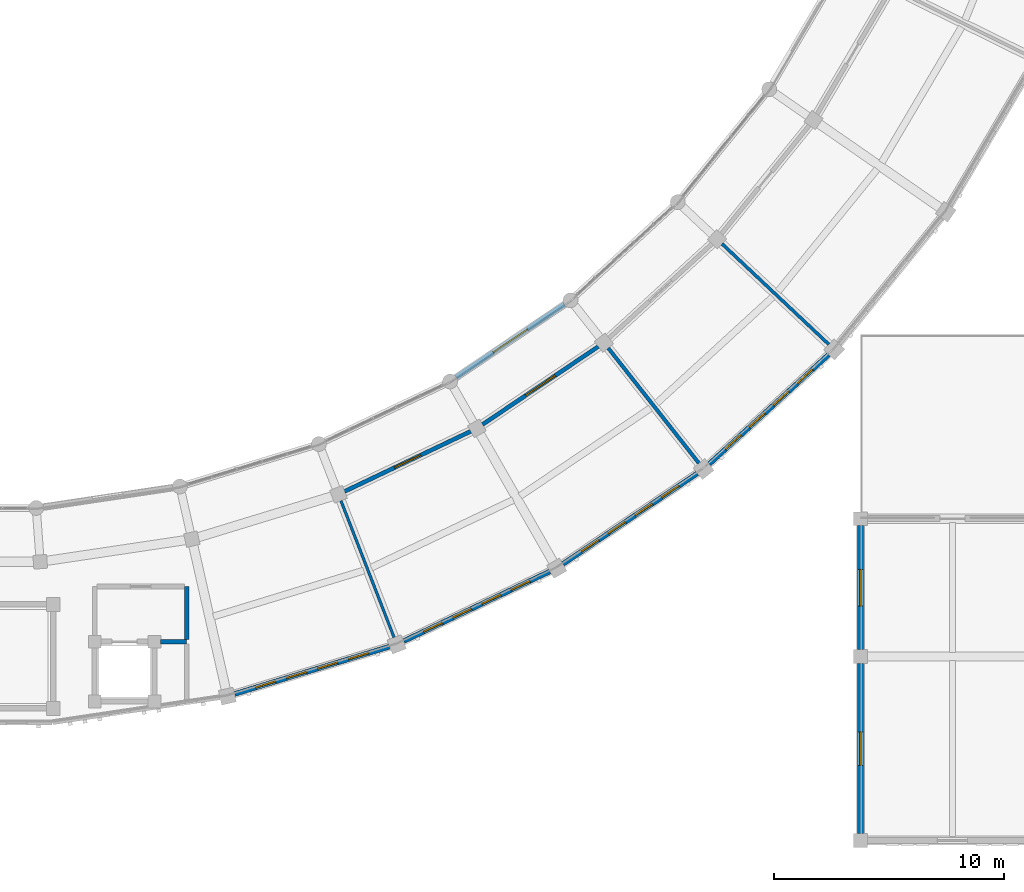
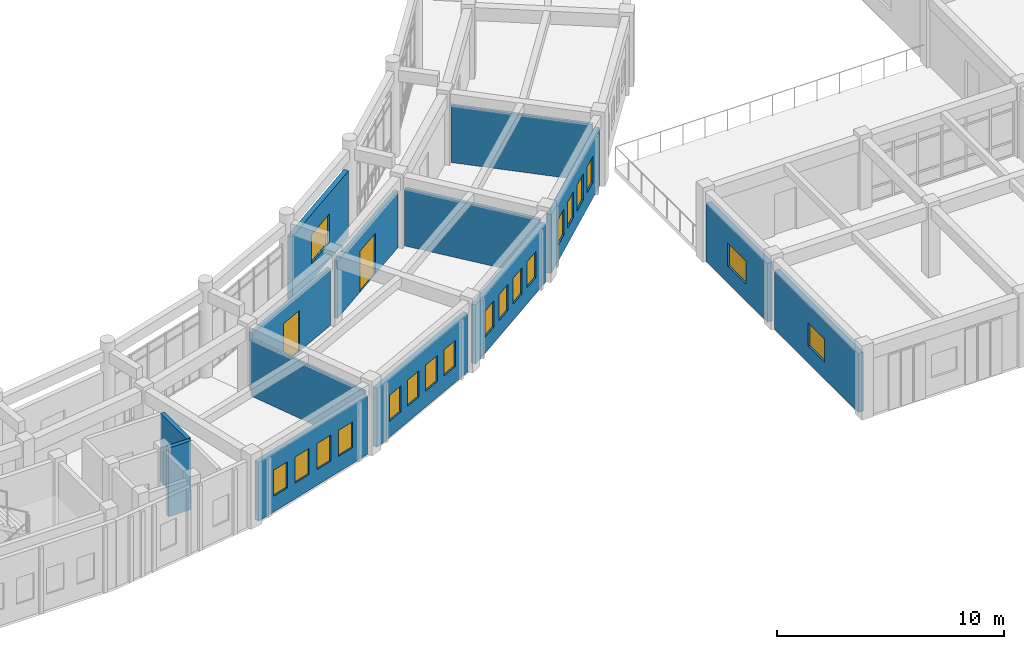
# One storey, part 124 of 159: 19 windows, 14 walls, 2 doors, 21 openings.
"""IFC4 building model written with IfcOpenShell, lengths in metres."""

import ifcopenshell
import ifcopenshell.guid

model = None  # the IFC model being written
_history = None  # IfcOwnerHistory: only IFC2X3 demands one
_inside = {}  # id of a spatial element -> (the spatial element, [elements in it])
_under = {}  # id of a project, library or spatial element -> (it, [spatial elements below it])
_declared = {}  # id of a project -> (the project, [libraries it declares])
_typed = {}  # id of a type object -> (the type object, [elements of that type])
_made_of = {}  # id of a material, layer set ... -> (it, [elements and type objects made of it])


def new_model(schema):
    """Start an empty IFC model of exactly this schema.

    Asked for "IFC4X3", IfcOpenShell would pick the latest addendum, in which some entities
    have other attributes; the version numbers below select the first issue.
    IFC2X3 requires an IfcOwnerHistory on every rooted entity: one is made here for all.
    """
    global model, _history
    if schema == "IFC4X3":
        model = ifcopenshell.file(schema_version=(4, 3, 0, 0))
    else:
        model = ifcopenshell.file(schema=schema)
    _inside.clear()
    _under.clear()
    _declared.clear()
    _typed.clear()
    _made_of.clear()
    _history = None
    if model.schema == "IFC2X3":
        org = make("IfcOrganization", Name="unknown")
        user = make(
            "IfcPersonAndOrganization",
            ThePerson=make("IfcPerson", FamilyName="unknown"),
            TheOrganization=org,
        )
        app = make(
            "IfcApplication",
            ApplicationDeveloper=org,
            Version="unknown",
            ApplicationFullName="unknown",
            ApplicationIdentifier="unknown",
        )
        _history = make(
            "IfcOwnerHistory",
            OwningUser=user,
            OwningApplication=app,
            ChangeAction="ADDED",
            CreationDate=0,
        )
    return model


def make(cls, **values):
    """One entity of the class cls with the attributes given. An attribute that is None is left unset."""
    return model.create_entity(
        cls, **{name: value for name, value in values.items() if value is not None}
    )


def rooted(cls, **values):
    """An entity with a GlobalId (a new one), such as an element, a storey or a relation."""
    return make(cls, GlobalId=ifcopenshell.guid.new(), OwnerHistory=_history, **values)


def si_unit(unit_type, name, prefix=None):
    """IfcSIUnit, for example si_unit("LENGTHUNIT", "METRE", prefix="MILLI")."""
    return make("IfcSIUnit", UnitType=unit_type, Prefix=prefix, Name=name)


def assignment(units):
    """IfcUnitAssignment: the units of a project."""
    return None if units is None else make("IfcUnitAssignment", Units=units)


def point(xyz):
    """IfcCartesianPoint."""
    return None if xyz is None else make("IfcCartesianPoint", Coordinates=xyz)


def direction(xyz):
    """IfcDirection."""
    return None if xyz is None else make("IfcDirection", DirectionRatios=xyz)


def frame(location, z_axis=None, x_axis=None):
    """IfcAxis2Placement3D, a coordinate frame: its origin and axes. An axis left out is left unset."""
    return make(
        "IfcAxis2Placement3D",
        Location=point(location),
        Axis=direction(z_axis),
        RefDirection=direction(x_axis),
    )


def frame_2d(location, x_axis=None):
    """IfcAxis2Placement2D, a coordinate frame in the plane: its origin and x axis."""
    return make(
        "IfcAxis2Placement2D", Location=point(location), RefDirection=direction(x_axis)
    )


def origin():
    """The frame at (0, 0, 0) with its axes left unset."""
    return frame((0.0, 0.0, 0.0))


def place(relative_to, where):
    """IfcLocalPlacement: puts the frame where relative to a parent placement (None: the world)."""
    return make(
        "IfcLocalPlacement", PlacementRelTo=relative_to, RelativePlacement=where
    )


def context(
    kind, dimensions, precision=None, world=None, true_north=None, identifier=None
):
    """IfcGeometricRepresentationContext, for example the 3D "Model" context."""
    return make(
        "IfcGeometricRepresentationContext",
        ContextIdentifier=identifier,
        ContextType=kind,
        CoordinateSpaceDimension=dimensions,
        Precision=precision,
        WorldCoordinateSystem=world,
        TrueNorth=true_north,
    )


def subcontext(parent, identifier, kind, view, scale=None):
    """IfcGeometricRepresentationSubContext, for example "Body" below "Model"."""
    return make(
        "IfcGeometricRepresentationSubContext",
        ContextIdentifier=identifier,
        ContextType=kind,
        ParentContext=parent,
        TargetScale=scale,
        TargetView=view,
    )


def project(units=None, contexts=None):
    """IfcProject with its units and contexts."""
    return rooted(
        "IfcProject",
        Name="project",
        RepresentationContexts=contexts,
        UnitsInContext=assignment(units),
    )


def spatial(cls, under=None, at=None, **own):
    """A site, building, storey or space (cls), placed at a placement, below another one or the project."""
    s = rooted(cls, ObjectPlacement=at, **own)
    if under is not None:
        _under.setdefault(under.id(), (under, []))[1].append(s)
    return s


def profile(cls, at=None, kind="AREA", **sizes):
    """A parametric profile (cls). Its sizes go by their IFC names, for example OverallWidth=200.0."""
    return make(cls, ProfileType=kind, Position=at, **sizes)


def rectangle(**sizes):
    """IfcRectangleProfileDef."""
    return profile("IfcRectangleProfileDef", **sizes)


def extrude(swept, where, along, depth):
    """IfcExtrudedAreaSolid: the profile swept, set in the frame where, extruded along a direction by depth."""
    return make(
        "IfcExtrudedAreaSolid",
        SweptArea=swept,
        Position=where,
        ExtrudedDirection=direction(along),
        Depth=depth,
    )


def shape(context_of_items, identifier, shape_type, items):
    """IfcShapeRepresentation: the items that make up one representation, for example the "Body"."""
    return make(
        "IfcShapeRepresentation",
        ContextOfItems=context_of_items,
        RepresentationIdentifier=identifier,
        RepresentationType=shape_type,
        Items=items,
    )


def material(Name=None, Category=None):
    """IfcMaterial."""
    return make("IfcMaterial", Name=Name, Category=Category)


def layer(
    of_material, thickness, ventilated=None, Name=None, Category=None, Priority=None
):
    """IfcMaterialLayer: one layer of a wall or slab, of a material (None: an air gap)."""
    return make(
        "IfcMaterialLayer",
        Material=of_material,
        LayerThickness=thickness,
        IsVentilated=ventilated,
        Name=Name,
        Category=Category,
        Priority=Priority,
    )


def layer_set(layers, Name=None):
    """IfcMaterialLayerSet."""
    return make("IfcMaterialLayerSet", MaterialLayers=layers, LayerSetName=Name)


def made_of(thing, what):
    """Note that an element or type object is made of a material, layer set ...; save() writes the relation."""
    if what is not None:
        _made_of.setdefault(what.id(), (what, []))[1].append(thing)
    return thing


def type_object(cls, material=None, **own):
    """A type object (cls), such as IfcWallType, which elements share."""
    return made_of(rooted(cls, **own), material)


def element(
    cls,
    number,
    at=None,
    inside=None,
    cuts=None,
    type_object=None,
    material=None,
    context=None,
    identifier="Body",
    shape_type=None,
    held_by="IfcProductDefinitionShape",
    body=None,
    shapes=None,
    **own,
):
    """One element of the class cls, such as IfcWall. Its Tag is "e" and its number.

    at: its placement. inside: the storey or other place that contains it. cuts: it is an
    opening in that element (IfcRelVoidsElement). A single representation is given by context,
    identifier, shape_type and body (its items); several are given by shapes. held_by: the class
    of the entity that holds the representations. save() writes the other relations.
    """
    e = rooted(cls, Tag="e%d" % number, ObjectPlacement=at, **own)
    if body is not None:
        shapes = [shape(context, identifier, shape_type, body)]
    if shapes is not None:
        e.Representation = make(held_by, Representations=shapes)
    if inside is not None:
        _inside.setdefault(inside.id(), (inside, []))[1].append(e)
    if cuts is not None:
        rooted(
            "IfcRelVoidsElement", RelatingBuildingElement=cuts, RelatedOpeningElement=e
        )
    if type_object is not None:
        _typed.setdefault(type_object.id(), (type_object, []))[1].append(e)
    return made_of(e, material)


def fill(opening, filler):
    """IfcRelFillsElement: the door or window that sits in an opening."""
    return rooted(
        "IfcRelFillsElement",
        RelatingOpeningElement=opening,
        RelatedBuildingElement=filler,
    )


def aggregate(whole, parts):
    """IfcRelAggregates: a whole, such as a stair, and the parts it consists of."""
    return rooted("IfcRelAggregates", RelatingObject=whole, RelatedObjects=parts)


def save(model, path):
    """Write the relations noted so far, then the file.

    IfcRelAggregates (storeys below a building ...), IfcRelContainedInSpatialStructure (elements
    in a storey), IfcRelDefinesByType, IfcRelAssociatesMaterial and IfcRelDeclares: one each for
    every whole, place, type object, material and project.
    """
    for whole, parts in _under.values():
        aggregate(whole, parts)
    for where, things in _inside.values():
        rooted(
            "IfcRelContainedInSpatialStructure",
            RelatedElements=things,
            RelatingStructure=where,
        )
    for kind, things in _typed.values():
        rooted("IfcRelDefinesByType", RelatedObjects=things, RelatingType=kind)
    for what, things in _made_of.values():
        rooted("IfcRelAssociatesMaterial", RelatedObjects=things, RelatingMaterial=what)
    for by, libraries in _declared.values():
        rooted("IfcRelDeclares", RelatingContext=by, RelatedDefinitions=libraries)
    model.write(path)


model = new_model("IFC4")

# Units and contexts
model_context = context("Model", 3, precision=1e-05, world=origin(), true_north=direction((0.0, 1.0)))
body_context = subcontext(model_context, "Body", "Model", "MODEL_VIEW")
ifc_project = project(units=[si_unit("LENGTHUNIT", "METRE"), si_unit("AREAUNIT", "SQUARE_METRE"), si_unit("VOLUMEUNIT", "CUBIC_METRE"), si_unit("PLANEANGLEUNIT", "RADIAN"), si_unit("MASSUNIT", "GRAM", prefix="KILO")], contexts=[model_context])

# Site, building, storey
site_placement = place(None, origin())
site = spatial("IfcSite", under=ifc_project, at=site_placement, CompositionType="ELEMENT")
building_placement = place(site_placement, origin())
building = spatial("IfcBuilding", under=site, at=building_placement, Name="Celadon Cloister-Ring School", CompositionType="ELEMENT")
storey_placement = place(building_placement, frame((0.0, 0.0, 4.5)))
storey = spatial("IfcBuildingStorey", under=building, at=storey_placement, Name="L01", CompositionType="ELEMENT", Elevation=4.5)

# Wall, opening, window
ifc_material_1 = material(Name="Rendered concrete blockwork", Category="masonry")
ifc_layer_1 = layer(ifc_material_1, 0.260009765625)
ifc_layer_set_1 = layer_set([ifc_layer_1], Name="Rendered concrete blockwork")
wall_type_1 = type_object("IfcWallType", Name="WT-EX2", PredefinedType="SOLIDWALL", material=ifc_layer_set_1)
wall_1_placement = place(storey_placement, frame((126.0, 2.302001953125, 0.0), z_axis=(0.0, 0.0, 1.0), x_axis=(0.0, 1.0, 0.0)))
wall_1 = element("IfcWall", 1, at=wall_1_placement, inside=storey, type_object=wall_type_1, Name="Exterior Wall 0424", PredefinedType="SOLIDWALL", context=body_context, shape_type="SweptSolid", body=[
    extrude(rectangle(XDim=7.39599609375, YDim=0.260009765625, at=frame_2d((3.697998046875, 0.0))), origin(), (0.0, 0.0, 1.0), 3.152099609375),
])
opening_1_placement = place(wall_1_placement, frame((2.972900390625, 0.0, 0.89990234375)))
opening_1 = element("IfcOpeningElement", 2, at=opening_1_placement, cuts=wall_1, Name="Opening WN-15", PredefinedType="OPENING", context=body_context, shape_type="SweptSolid", body=[
    extrude(rectangle(XDim=1.449951171875, YDim=1.25, at=frame_2d((0.72509765625, 0.625))), frame((0.0, 0.14013671875, 0.0), z_axis=(0.0, -1.0, 0.0), x_axis=(1.0, 0.0, 0.0)), (0.0, 0.0, 1.0), 0.280029296875),
])
ifc_material_2 = material(Name="Tempered laminated insulating glass", Category="glass")
window_type_1 = type_object("IfcWindowType", Name="WN-15", PartitioningType="SINGLE_PANEL", PredefinedType="WINDOW", material=ifc_material_2)
window_1_placement = place(opening_1_placement, origin())
window_1 = element("IfcWindow", 3, at=window_1_placement, inside=storey, type_object=window_type_1, Name="Window 0965", OverallHeight=1.25, OverallWidth=1.449951171875, PartitioningType="SINGLE_PANEL", PredefinedType="WINDOW", context=body_context, shape_type="SweptSolid", body=[
    extrude(rectangle(XDim=1.449951171875, YDim=1.25, at=frame_2d((0.72509765625, 0.625))), frame((0.0, 0.030029296875, 0.0), z_axis=(0.0, -1.0, 0.0), x_axis=(1.0, 0.0, 0.0)), (0.0, 0.0, 1.0), 0.06005859375),
])
fill(opening_1, window_1)

wall_2_placement = place(storey_placement, frame((126.0, 10.302001953125, 0.0), z_axis=(0.0, 0.0, 1.0), x_axis=(0.0, 1.0, 0.0)))
wall_2 = element("IfcWall", 4, at=wall_2_placement, inside=storey, type_object=wall_type_1, Name="Exterior Wall 0425", PredefinedType="SOLIDWALL", context=body_context, shape_type="SweptSolid", body=[
    extrude(rectangle(XDim=5.39599609375, YDim=0.260009765625, at=frame_2d((2.697998046875, 0.0))), origin(), (0.0, 0.0, 1.0), 3.152099609375),
])
opening_2_placement = place(wall_2_placement, frame((1.89794921875, 0.0, 0.89990234375)))
opening_2 = element("IfcOpeningElement", 5, at=opening_2_placement, cuts=wall_2, Name="Opening WN-16", PredefinedType="OPENING", context=body_context, shape_type="SweptSolid", body=[
    extrude(rectangle(XDim=1.60009765625, YDim=1.25, at=frame_2d((0.800048828125, 0.625))), frame((0.0, 0.14013671875, 0.0), z_axis=(0.0, -1.0, 0.0), x_axis=(1.0, 0.0, 0.0)), (0.0, 0.0, 1.0), 0.280029296875),
])
ifc_material_3 = material(Name="Tempered laminated insulating glass", Category="glass")
window_type_2 = type_object("IfcWindowType", Name="WN-16", PartitioningType="DOUBLE_PANEL_VERTICAL", PredefinedType="WINDOW", material=ifc_material_3)
window_2_placement = place(opening_2_placement, origin())
window_2 = element("IfcWindow", 6, at=window_2_placement, inside=storey, type_object=window_type_2, Name="Window 0966", OverallHeight=1.25, OverallWidth=1.60009765625, PartitioningType="SINGLE_PANEL", PredefinedType="WINDOW", context=body_context, shape_type="SweptSolid", body=[
    extrude(rectangle(XDim=1.60009765625, YDim=1.25, at=frame_2d((0.800048828125, 0.625))), frame((0.0, 0.030029296875, 0.0), z_axis=(0.0, -1.0, 0.0), x_axis=(1.0, 0.0, 0.0)), (0.0, 0.0, 1.0), 0.06005859375),
])
fill(opening_2, window_2)

ifc_material_4 = material(Name="Rendered concrete blockwork", Category="masonry")
ifc_layer_2 = layer(ifc_material_4, 0.239990234375)
ifc_layer_set_2 = layer_set([ifc_layer_2], Name="Rendered concrete blockwork")
wall_type_2 = type_object("IfcWallType", Name="WT-EX3", PredefinedType="SOLIDWALL", material=ifc_layer_set_2)
wall_3_placement = place(storey_placement, frame((108.426025390625, 22.14892578125, 0.0), z_axis=(0.0, 0.0, 1.0), x_axis=(0.829214750807, 0.558930136102, 0.0)))
wall_3 = element("IfcWall", 7, at=wall_3_placement, inside=storey, type_object=wall_type_2, Name="Exterior Wall 0082", PredefinedType="SOLIDWALL", context=body_context, shape_type="SweptSolid", body=[
    extrude(rectangle(XDim=5.664306640625, YDim=0.239990234375, at=frame_2d((2.83203125, 0.0))), origin(), (0.0, 0.0, 1.0), 3.550048828125),
])
opening_3_placement = place(wall_3_placement, frame((1.931884765625, 0.0, 0.89990234375)))
opening_3 = element("IfcOpeningElement", 8, at=opening_3_placement, cuts=wall_3, Name="Opening WN-37", PredefinedType="OPENING", context=body_context, shape_type="SweptSolid", body=[
    extrude(rectangle(XDim=1.800048828125, YDim=1.550048828125, at=frame_2d((0.89990234375, 0.77490234375))), frame((0.0, 0.1298828125, 0.0), z_axis=(0.0, -1.0, 0.0), x_axis=(1.0, 0.0, 0.0)), (0.0, 0.0, 1.0), 0.260009765625),
])
ifc_material_5 = material(Name="Tempered laminated insulating glass", Category="glass")
window_type_3 = type_object("IfcWindowType", Name="WN-37", PartitioningType="DOUBLE_PANEL_VERTICAL", PredefinedType="WINDOW", material=ifc_material_5)
window_3_placement = place(opening_3_placement, origin())
window_3 = element("IfcWindow", 9, at=window_3_placement, inside=storey, type_object=window_type_3, Name="Window 0218", OverallHeight=1.550048828125, OverallWidth=1.800048828125, PartitioningType="SINGLE_PANEL", PredefinedType="WINDOW", context=body_context, shape_type="SweptSolid", body=[
    extrude(rectangle(XDim=1.800048828125, YDim=1.550048828125, at=frame_2d((0.89990234375, 0.77490234375))), frame((0.0, 0.030029296875, 0.0), z_axis=(0.0, -1.0, 0.0), x_axis=(1.0, 0.0, 0.0)), (0.0, 0.0, 1.0), 0.06005859375),
])
fill(opening_3, window_3)

# Wall, openings, windows
ifc_material_6 = material(Name="Perforated terracotta clay brick masonry", Category="masonry")
ifc_layer_3 = layer(ifc_material_6, 0.219970703125)
ifc_layer_set_3 = layer_set([ifc_layer_3], Name="Perforated terracotta clay brick masonry")
wall_type_3 = type_object("IfcWallType", Name="WT-EX4", PredefinedType="SOLIDWALL", material=ifc_layer_set_3)
wall_4_placement = place(storey_placement, frame((105.51708984375, 10.43408203125, 0.0), z_axis=(0.0, 0.0, 1.0), x_axis=(-0.956340250866, -0.292255580912, 0.0)))
wall_4 = element("IfcWall", 10, at=wall_4_placement, inside=storey, type_object=wall_type_3, Name="Exterior Wall 0079", PredefinedType="SOLIDWALL", context=body_context, shape_type="SweptSolid", body=[
    extrude(rectangle(XDim=7.0322265625, YDim=0.219970703125, at=frame_2d((3.51611328125, 0.0))), origin(), (0.0, 0.0, 1.0), 3.172119140625),
])
opening_4_placement = place(wall_4_placement, frame((0.9560546875, 0.0, 0.85009765625)))
opening_4 = element("IfcOpeningElement", 11, at=opening_4_placement, cuts=wall_4, Name="Opening WN-21", PredefinedType="OPENING", context=body_context, shape_type="SweptSolid", body=[
    extrude(rectangle(XDim=0.89990234375, YDim=1.39990234375, at=frame_2d((0.449951171875, 0.699951171875))), frame((0.0, 0.1201171875, 0.0), z_axis=(0.0, -1.0, 0.0), x_axis=(1.0, 0.0, 0.0)), (0.0, 0.0, 1.0), 0.239990234375),
])
opening_5_placement = place(wall_4_placement, frame((2.363037109375, 0.0, 0.85009765625)))
opening_5 = element("IfcOpeningElement", 12, at=opening_5_placement, cuts=wall_4, Name="Opening WN-21", PredefinedType="OPENING", context=body_context, shape_type="SweptSolid", body=[
    extrude(rectangle(XDim=0.89990234375, YDim=1.39990234375, at=frame_2d((0.449951171875, 0.699951171875))), frame((0.0, 0.1201171875, 0.0), z_axis=(0.0, -1.0, 0.0), x_axis=(1.0, 0.0, 0.0)), (0.0, 0.0, 1.0), 0.239990234375),
])
opening_6_placement = place(wall_4_placement, frame((3.76904296875, 0.0, 0.85009765625)))
opening_6 = element("IfcOpeningElement", 13, at=opening_6_placement, cuts=wall_4, Name="Opening WN-21", PredefinedType="OPENING", context=body_context, shape_type="SweptSolid", body=[
    extrude(rectangle(XDim=0.89990234375, YDim=1.39990234375, at=frame_2d((0.449951171875, 0.699951171875))), frame((0.0, 0.1201171875, 0.0), z_axis=(0.0, -1.0, 0.0), x_axis=(1.0, 0.0, 0.0)), (0.0, 0.0, 1.0), 0.239990234375),
])
opening_7_placement = place(wall_4_placement, frame((5.176025390625, 0.0, 0.85009765625)))
opening_7 = element("IfcOpeningElement", 14, at=opening_7_placement, cuts=wall_4, Name="Opening WN-21", PredefinedType="OPENING", context=body_context, shape_type="SweptSolid", body=[
    extrude(rectangle(XDim=0.89990234375, YDim=1.39990234375, at=frame_2d((0.449951171875, 0.699951171875))), frame((0.0, 0.1201171875, 0.0), z_axis=(0.0, -1.0, 0.0), x_axis=(1.0, 0.0, 0.0)), (0.0, 0.0, 1.0), 0.239990234375),
])
ifc_material_7 = material(Name="Tempered laminated insulating glass", Category="glass")
window_type_4 = type_object("IfcWindowType", Name="WN-21", PartitioningType="SINGLE_PANEL", PredefinedType="WINDOW", material=ifc_material_7)
window_4_placement = place(opening_4_placement, origin())
window_4 = element("IfcWindow", 15, at=window_4_placement, inside=storey, type_object=window_type_4, Name="Window 0206", OverallHeight=1.39990234375, OverallWidth=0.89990234375, PartitioningType="SINGLE_PANEL", PredefinedType="WINDOW", context=body_context, shape_type="SweptSolid", body=[
    extrude(rectangle(XDim=0.89990234375, YDim=1.39990234375, at=frame_2d((0.449951171875, 0.699951171875))), frame((0.0, 0.030029296875, 0.0), z_axis=(0.0, -1.0, 0.0), x_axis=(1.0, 0.0, 0.0)), (0.0, 0.0, 1.0), 0.06005859375),
])
fill(opening_4, window_4)
window_5_placement = place(opening_5_placement, origin())
window_5 = element("IfcWindow", 16, at=window_5_placement, inside=storey, type_object=window_type_4, Name="Window 0207", OverallHeight=1.39990234375, OverallWidth=0.89990234375, PartitioningType="SINGLE_PANEL", PredefinedType="WINDOW", context=body_context, shape_type="SweptSolid", body=[
    extrude(rectangle(XDim=0.89990234375, YDim=1.39990234375, at=frame_2d((0.449951171875, 0.699951171875))), frame((0.0, 0.030029296875, 0.0), z_axis=(0.0, -1.0, 0.0), x_axis=(1.0, 0.0, 0.0)), (0.0, 0.0, 1.0), 0.06005859375),
])
fill(opening_5, window_5)
window_6_placement = place(opening_6_placement, origin())
window_6 = element("IfcWindow", 17, at=window_6_placement, inside=storey, type_object=window_type_4, Name="Window 0208", OverallHeight=1.39990234375, OverallWidth=0.89990234375, PartitioningType="SINGLE_PANEL", PredefinedType="WINDOW", context=body_context, shape_type="SweptSolid", body=[
    extrude(rectangle(XDim=0.89990234375, YDim=1.39990234375, at=frame_2d((0.449951171875, 0.699951171875))), frame((0.0, 0.030029296875, 0.0), z_axis=(0.0, -1.0, 0.0), x_axis=(1.0, 0.0, 0.0)), (0.0, 0.0, 1.0), 0.06005859375),
])
fill(opening_6, window_6)
window_7_placement = place(opening_7_placement, origin())
window_7 = element("IfcWindow", 18, at=window_7_placement, inside=storey, type_object=window_type_4, Name="Window 0209", OverallHeight=1.39990234375, OverallWidth=0.89990234375, PartitioningType="SINGLE_PANEL", PredefinedType="WINDOW", context=body_context, shape_type="SweptSolid", body=[
    extrude(rectangle(XDim=0.89990234375, YDim=1.39990234375, at=frame_2d((0.449951171875, 0.699951171875))), frame((0.0, 0.030029296875, 0.0), z_axis=(0.0, -1.0, 0.0), x_axis=(1.0, 0.0, 0.0)), (0.0, 0.0, 1.0), 0.06005859375),
])
fill(opening_7, window_7)

wall_5_placement = place(storey_placement, frame((112.489013671875, 13.701904296875, 0.0), z_axis=(0.0, 0.0, 1.0), x_axis=(-0.902744968073, -0.43017615301, 0.0)))
wall_5 = element("IfcWall", 19, at=wall_5_placement, inside=storey, type_object=wall_type_3, Name="Exterior Wall 0080", PredefinedType="SOLIDWALL", context=body_context, shape_type="SweptSolid", body=[
    extrude(rectangle(XDim=7.03173828125, YDim=0.219970703125, at=frame_2d((3.515869140625, 0.0))), origin(), (0.0, 0.0, 1.0), 3.172119140625),
])
opening_8_placement = place(wall_5_placement, frame((0.9560546875, 0.0, 0.85009765625)))
opening_8 = element("IfcOpeningElement", 20, at=opening_8_placement, cuts=wall_5, Name="Opening WN-21", PredefinedType="OPENING", context=body_context, shape_type="SweptSolid", body=[
    extrude(rectangle(XDim=0.89990234375, YDim=1.39990234375, at=frame_2d((0.449951171875, 0.699951171875))), frame((0.0, 0.1201171875, 0.0), z_axis=(0.0, -1.0, 0.0), x_axis=(1.0, 0.0, 0.0)), (0.0, 0.0, 1.0), 0.239990234375),
])
opening_9_placement = place(wall_5_placement, frame((2.363037109375, 0.0, 0.85009765625)))
opening_9 = element("IfcOpeningElement", 21, at=opening_9_placement, cuts=wall_5, Name="Opening WN-21", PredefinedType="OPENING", context=body_context, shape_type="SweptSolid", body=[
    extrude(rectangle(XDim=0.89990234375, YDim=1.39990234375, at=frame_2d((0.449951171875, 0.699951171875))), frame((0.0, 0.1201171875, 0.0), z_axis=(0.0, -1.0, 0.0), x_axis=(1.0, 0.0, 0.0)), (0.0, 0.0, 1.0), 0.239990234375),
])
opening_10_placement = place(wall_5_placement, frame((3.76904296875, 0.0, 0.85009765625)))
opening_10 = element("IfcOpeningElement", 22, at=opening_10_placement, cuts=wall_5, Name="Opening WN-21", PredefinedType="OPENING", context=body_context, shape_type="SweptSolid", body=[
    extrude(rectangle(XDim=0.89990234375, YDim=1.39990234375, at=frame_2d((0.449951171875, 0.699951171875))), frame((0.0, 0.1201171875, 0.0), z_axis=(0.0, -1.0, 0.0), x_axis=(1.0, 0.0, 0.0)), (0.0, 0.0, 1.0), 0.239990234375),
])
opening_11_placement = place(wall_5_placement, frame((5.176025390625, 0.0, 0.85009765625)))
opening_11 = element("IfcOpeningElement", 23, at=opening_11_placement, cuts=wall_5, Name="Opening WN-21", PredefinedType="OPENING", context=body_context, shape_type="SweptSolid", body=[
    extrude(rectangle(XDim=0.89990234375, YDim=1.39990234375, at=frame_2d((0.449951171875, 0.699951171875))), frame((0.0, 0.1201171875, 0.0), z_axis=(0.0, -1.0, 0.0), x_axis=(1.0, 0.0, 0.0)), (0.0, 0.0, 1.0), 0.239990234375),
])
window_8_placement = place(opening_8_placement, origin())
window_8 = element("IfcWindow", 24, at=window_8_placement, inside=storey, type_object=window_type_4, Name="Window 0210", OverallHeight=1.39990234375, OverallWidth=0.89990234375, PartitioningType="SINGLE_PANEL", PredefinedType="WINDOW", context=body_context, shape_type="SweptSolid", body=[
    extrude(rectangle(XDim=0.89990234375, YDim=1.39990234375, at=frame_2d((0.449951171875, 0.699951171875))), frame((0.0, 0.030029296875, 0.0), z_axis=(0.0, -1.0, 0.0), x_axis=(1.0, 0.0, 0.0)), (0.0, 0.0, 1.0), 0.06005859375),
])
fill(opening_8, window_8)
window_9_placement = place(opening_9_placement, origin())
window_9 = element("IfcWindow", 25, at=window_9_placement, inside=storey, type_object=window_type_4, Name="Window 0211", OverallHeight=1.39990234375, OverallWidth=0.89990234375, PartitioningType="SINGLE_PANEL", PredefinedType="WINDOW", context=body_context, shape_type="SweptSolid", body=[
    extrude(rectangle(XDim=0.89990234375, YDim=1.39990234375, at=frame_2d((0.449951171875, 0.699951171875))), frame((0.0, 0.030029296875, 0.0), z_axis=(0.0, -1.0, 0.0), x_axis=(1.0, 0.0, 0.0)), (0.0, 0.0, 1.0), 0.06005859375),
])
fill(opening_9, window_9)
window_10_placement = place(opening_10_placement, origin())
window_10 = element("IfcWindow", 26, at=window_10_placement, inside=storey, type_object=window_type_4, Name="Window 0212", OverallHeight=1.39990234375, OverallWidth=0.89990234375, PartitioningType="SINGLE_PANEL", PredefinedType="WINDOW", context=body_context, shape_type="SweptSolid", body=[
    extrude(rectangle(XDim=0.89990234375, YDim=1.39990234375, at=frame_2d((0.449951171875, 0.699951171875))), frame((0.0, 0.030029296875, 0.0), z_axis=(0.0, -1.0, 0.0), x_axis=(1.0, 0.0, 0.0)), (0.0, 0.0, 1.0), 0.06005859375),
])
fill(opening_10, window_10)
window_11_placement = place(opening_11_placement, origin())
window_11 = element("IfcWindow", 27, at=window_11_placement, inside=storey, type_object=window_type_4, Name="Window 0213", OverallHeight=1.39990234375, OverallWidth=0.89990234375, PartitioningType="SINGLE_PANEL", PredefinedType="WINDOW", context=body_context, shape_type="SweptSolid", body=[
    extrude(rectangle(XDim=0.89990234375, YDim=1.39990234375, at=frame_2d((0.449951171875, 0.699951171875))), frame((0.0, 0.030029296875, 0.0), z_axis=(0.0, -1.0, 0.0), x_axis=(1.0, 0.0, 0.0)), (0.0, 0.0, 1.0), 0.06005859375),
])
fill(opening_11, window_11)

wall_6_placement = place(storey_placement, frame((118.90087890625, 17.965087890625, 0.0), z_axis=(0.0, 0.0, 1.0), x_axis=(-0.829175809129, -0.558987904659, 0.0)))
wall_6 = element("IfcWall", 28, at=wall_6_placement, inside=storey, type_object=wall_type_3, Name="Exterior Wall 0081", PredefinedType="SOLIDWALL", context=body_context, shape_type="SweptSolid", body=[
    extrude(rectangle(XDim=7.03076171875, YDim=0.219970703125, at=frame_2d((3.515380859375, 0.0))), origin(), (0.0, 0.0, 1.0), 3.172119140625),
])
opening_12_placement = place(wall_6_placement, frame((0.9560546875, 0.0, 0.85009765625)))
opening_12 = element("IfcOpeningElement", 29, at=opening_12_placement, cuts=wall_6, Name="Opening WN-21", PredefinedType="OPENING", context=body_context, shape_type="SweptSolid", body=[
    extrude(rectangle(XDim=0.89990234375, YDim=1.39990234375, at=frame_2d((0.449951171875, 0.699951171875))), frame((0.0, 0.1201171875, 0.0), z_axis=(0.0, -1.0, 0.0), x_axis=(1.0, 0.0, 0.0)), (0.0, 0.0, 1.0), 0.239990234375),
])
opening_13_placement = place(wall_6_placement, frame((2.362060546875, 0.0, 0.85009765625)))
opening_13 = element("IfcOpeningElement", 30, at=opening_13_placement, cuts=wall_6, Name="Opening WN-21", PredefinedType="OPENING", context=body_context, shape_type="SweptSolid", body=[
    extrude(rectangle(XDim=0.89990234375, YDim=1.39990234375, at=frame_2d((0.449951171875, 0.699951171875))), frame((0.0, 0.1201171875, 0.0), z_axis=(0.0, -1.0, 0.0), x_axis=(1.0, 0.0, 0.0)), (0.0, 0.0, 1.0), 0.239990234375),
])
opening_14_placement = place(wall_6_placement, frame((3.76904296875, 0.0, 0.85009765625)))
opening_14 = element("IfcOpeningElement", 31, at=opening_14_placement, cuts=wall_6, Name="Opening WN-21", PredefinedType="OPENING", context=body_context, shape_type="SweptSolid", body=[
    extrude(rectangle(XDim=0.89990234375, YDim=1.39990234375, at=frame_2d((0.449951171875, 0.699951171875))), frame((0.0, 0.1201171875, 0.0), z_axis=(0.0, -1.0, 0.0), x_axis=(1.0, 0.0, 0.0)), (0.0, 0.0, 1.0), 0.239990234375),
])
opening_15_placement = place(wall_6_placement, frame((5.175048828125, 0.0, 0.85009765625)))
opening_15 = element("IfcOpeningElement", 32, at=opening_15_placement, cuts=wall_6, Name="Opening WN-21", PredefinedType="OPENING", context=body_context, shape_type="SweptSolid", body=[
    extrude(rectangle(XDim=0.89990234375, YDim=1.39990234375, at=frame_2d((0.449951171875, 0.699951171875))), frame((0.0, 0.1201171875, 0.0), z_axis=(0.0, -1.0, 0.0), x_axis=(1.0, 0.0, 0.0)), (0.0, 0.0, 1.0), 0.239990234375),
])
window_12_placement = place(opening_12_placement, origin())
window_12 = element("IfcWindow", 33, at=window_12_placement, inside=storey, type_object=window_type_4, Name="Window 0214", OverallHeight=1.39990234375, OverallWidth=0.89990234375, PartitioningType="SINGLE_PANEL", PredefinedType="WINDOW", context=body_context, shape_type="SweptSolid", body=[
    extrude(rectangle(XDim=0.89990234375, YDim=1.39990234375, at=frame_2d((0.449951171875, 0.699951171875))), frame((0.0, 0.030029296875, 0.0), z_axis=(0.0, -1.0, 0.0), x_axis=(1.0, 0.0, 0.0)), (0.0, 0.0, 1.0), 0.06005859375),
])
fill(opening_12, window_12)
window_13_placement = place(opening_13_placement, origin())
window_13 = element("IfcWindow", 34, at=window_13_placement, inside=storey, type_object=window_type_4, Name="Window 0215", OverallHeight=1.39990234375, OverallWidth=0.89990234375, PartitioningType="SINGLE_PANEL", PredefinedType="WINDOW", context=body_context, shape_type="SweptSolid", body=[
    extrude(rectangle(XDim=0.89990234375, YDim=1.39990234375, at=frame_2d((0.449951171875, 0.699951171875))), frame((0.0, 0.030029296875, 0.0), z_axis=(0.0, -1.0, 0.0), x_axis=(1.0, 0.0, 0.0)), (0.0, 0.0, 1.0), 0.06005859375),
])
fill(opening_13, window_13)
window_14_placement = place(opening_14_placement, origin())
window_14 = element("IfcWindow", 35, at=window_14_placement, inside=storey, type_object=window_type_4, Name="Window 0216", OverallHeight=1.39990234375, OverallWidth=0.89990234375, PartitioningType="SINGLE_PANEL", PredefinedType="WINDOW", context=body_context, shape_type="SweptSolid", body=[
    extrude(rectangle(XDim=0.89990234375, YDim=1.39990234375, at=frame_2d((0.449951171875, 0.699951171875))), frame((0.0, 0.030029296875, 0.0), z_axis=(0.0, -1.0, 0.0), x_axis=(1.0, 0.0, 0.0)), (0.0, 0.0, 1.0), 0.06005859375),
])
fill(opening_14, window_14)
window_15_placement = place(opening_15_placement, origin())
window_15 = element("IfcWindow", 36, at=window_15_placement, inside=storey, type_object=window_type_4, Name="Window 0217", OverallHeight=1.39990234375, OverallWidth=0.89990234375, PartitioningType="SINGLE_PANEL", PredefinedType="WINDOW", context=body_context, shape_type="SweptSolid", body=[
    extrude(rectangle(XDim=0.89990234375, YDim=1.39990234375, at=frame_2d((0.449951171875, 0.699951171875))), frame((0.0, 0.030029296875, 0.0), z_axis=(0.0, -1.0, 0.0), x_axis=(1.0, 0.0, 0.0)), (0.0, 0.0, 1.0), 0.06005859375),
])
fill(opening_15, window_15)

wall_7_placement = place(storey_placement, frame((124.614013671875, 23.12890625, 0.0), z_axis=(0.0, 0.0, 1.0), x_axis=(-0.737497040912, -0.675350364364, 0.0)))
wall_7 = element("IfcWall", 37, at=wall_7_placement, inside=storey, type_object=wall_type_3, Name="Exterior Wall 0083", PredefinedType="SOLIDWALL", context=body_context, shape_type="SweptSolid", body=[
    extrude(rectangle(XDim=7.031982421875, YDim=0.219970703125, at=frame_2d((3.51611328125, 0.0))), origin(), (0.0, 0.0, 1.0), 3.172119140625),
])
opening_16_placement = place(wall_7_placement, frame((0.9560546875, 0.0, 0.85009765625)))
opening_16 = element("IfcOpeningElement", 38, at=opening_16_placement, cuts=wall_7, Name="Opening WN-21", PredefinedType="OPENING", context=body_context, shape_type="SweptSolid", body=[
    extrude(rectangle(XDim=0.89990234375, YDim=1.39990234375, at=frame_2d((0.449951171875, 0.699951171875))), frame((0.0, 0.1201171875, 0.0), z_axis=(0.0, -1.0, 0.0), x_axis=(1.0, 0.0, 0.0)), (0.0, 0.0, 1.0), 0.239990234375),
])
opening_17_placement = place(wall_7_placement, frame((2.363037109375, 0.0, 0.85009765625)))
opening_17 = element("IfcOpeningElement", 39, at=opening_17_placement, cuts=wall_7, Name="Opening WN-21", PredefinedType="OPENING", context=body_context, shape_type="SweptSolid", body=[
    extrude(rectangle(XDim=0.89990234375, YDim=1.39990234375, at=frame_2d((0.449951171875, 0.699951171875))), frame((0.0, 0.1201171875, 0.0), z_axis=(0.0, -1.0, 0.0), x_axis=(1.0, 0.0, 0.0)), (0.0, 0.0, 1.0), 0.239990234375),
])
opening_18_placement = place(wall_7_placement, frame((3.76904296875, 0.0, 0.85009765625)))
opening_18 = element("IfcOpeningElement", 40, at=opening_18_placement, cuts=wall_7, Name="Opening WN-21", PredefinedType="OPENING", context=body_context, shape_type="SweptSolid", body=[
    extrude(rectangle(XDim=0.89990234375, YDim=1.39990234375, at=frame_2d((0.449951171875, 0.699951171875))), frame((0.0, 0.1201171875, 0.0), z_axis=(0.0, -1.0, 0.0), x_axis=(1.0, 0.0, 0.0)), (0.0, 0.0, 1.0), 0.239990234375),
])
opening_19_placement = place(wall_7_placement, frame((5.176025390625, 0.0, 0.85009765625)))
opening_19 = element("IfcOpeningElement", 41, at=opening_19_placement, cuts=wall_7, Name="Opening WN-21", PredefinedType="OPENING", context=body_context, shape_type="SweptSolid", body=[
    extrude(rectangle(XDim=0.89990234375, YDim=1.39990234375, at=frame_2d((0.449951171875, 0.699951171875))), frame((0.0, 0.1201171875, 0.0), z_axis=(0.0, -1.0, 0.0), x_axis=(1.0, 0.0, 0.0)), (0.0, 0.0, 1.0), 0.239990234375),
])
window_16_placement = place(opening_16_placement, origin())
window_16 = element("IfcWindow", 42, at=window_16_placement, inside=storey, type_object=window_type_4, Name="Window 0219", OverallHeight=1.39990234375, OverallWidth=0.89990234375, PartitioningType="SINGLE_PANEL", PredefinedType="WINDOW", context=body_context, shape_type="SweptSolid", body=[
    extrude(rectangle(XDim=0.89990234375, YDim=1.39990234375, at=frame_2d((0.449951171875, 0.699951171875))), frame((0.0, 0.030029296875, 0.0), z_axis=(0.0, -1.0, 0.0), x_axis=(1.0, 0.0, 0.0)), (0.0, 0.0, 1.0), 0.06005859375),
])
fill(opening_16, window_16)
window_17_placement = place(opening_17_placement, origin())
window_17 = element("IfcWindow", 43, at=window_17_placement, inside=storey, type_object=window_type_4, Name="Window 0220", OverallHeight=1.39990234375, OverallWidth=0.89990234375, PartitioningType="SINGLE_PANEL", PredefinedType="WINDOW", context=body_context, shape_type="SweptSolid", body=[
    extrude(rectangle(XDim=0.89990234375, YDim=1.39990234375, at=frame_2d((0.449951171875, 0.699951171875))), frame((0.0, 0.030029296875, 0.0), z_axis=(0.0, -1.0, 0.0), x_axis=(1.0, 0.0, 0.0)), (0.0, 0.0, 1.0), 0.06005859375),
])
fill(opening_17, window_17)
window_18_placement = place(opening_18_placement, origin())
window_18 = element("IfcWindow", 44, at=window_18_placement, inside=storey, type_object=window_type_4, Name="Window 0221", OverallHeight=1.39990234375, OverallWidth=0.89990234375, PartitioningType="SINGLE_PANEL", PredefinedType="WINDOW", context=body_context, shape_type="SweptSolid", body=[
    extrude(rectangle(XDim=0.89990234375, YDim=1.39990234375, at=frame_2d((0.449951171875, 0.699951171875))), frame((0.0, 0.030029296875, 0.0), z_axis=(0.0, -1.0, 0.0), x_axis=(1.0, 0.0, 0.0)), (0.0, 0.0, 1.0), 0.06005859375),
])
fill(opening_18, window_18)
window_19_placement = place(opening_19_placement, origin())
window_19 = element("IfcWindow", 45, at=window_19_placement, inside=storey, type_object=window_type_4, Name="Window 0222", OverallHeight=1.39990234375, OverallWidth=0.89990234375, PartitioningType="SINGLE_PANEL", PredefinedType="WINDOW", context=body_context, shape_type="SweptSolid", body=[
    extrude(rectangle(XDim=0.89990234375, YDim=1.39990234375, at=frame_2d((0.449951171875, 0.699951171875))), frame((0.0, 0.030029296875, 0.0), z_axis=(0.0, -1.0, 0.0), x_axis=(1.0, 0.0, 0.0)), (0.0, 0.0, 1.0), 0.06005859375),
])
fill(opening_19, window_19)

# Walls
ifc_material_8 = material(Name="Plastered hollow concrete masonry", Category="masonry")
ifc_layer_4 = layer(ifc_material_8, 0.199951171875)
ifc_layer_set_4 = layer_set([ifc_layer_4], Name="Plastered hollow concrete masonry")
wall_type_4 = type_object("IfcWallType", Name="WT-PT1", PredefinedType="PARTITIONING", material=ifc_layer_set_4)
wall_8_placement = place(storey_placement, frame((95.56689453125, 10.64990234375, 0.0), z_axis=(0.0, 0.0, 1.0), x_axis=(1.0, 0.0, 0.0)))
element("IfcWall", 46, at=wall_8_placement, inside=storey, type_object=wall_type_4, Name="Interior Wall 0313", PredefinedType="PARTITIONING", context=body_context, shape_type="SweptSolid", body=[
    extrude(rectangle(XDim=1.133056640625, YDim=0.199951171875, at=frame_2d((0.56640625, 0.0))), origin(), (0.0, 0.0, 1.0), 3.699951171875),
])
wall_9_placement = place(storey_placement, frame((96.699951171875, 10.7529296875, 0.0), z_axis=(0.0, 0.0, 1.0), x_axis=(0.0, 1.0, 0.0)))
element("IfcWall", 47, at=wall_9_placement, inside=storey, type_object=wall_type_4, Name="Interior Wall 0315", PredefinedType="PARTITIONING", context=body_context, shape_type="SweptSolid", body=[
    extrude(rectangle(XDim=2.297119140625, YDim=0.199951171875, at=frame_2d((1.1484375, 0.0))), origin(), (0.0, 0.0, 1.0), 3.699951171875),
])

# Wall, opening, door
ifc_material_9 = material(Name="Plastered hollow concrete masonry", Category="masonry")
ifc_layer_5 = layer(ifc_material_9, 0.179931640625)
ifc_layer_set_5 = layer_set([ifc_layer_5], Name="Plastered hollow concrete masonry")
wall_type_5 = type_object("IfcWallType", Name="WT-PT2", PredefinedType="PARTITIONING", material=ifc_layer_set_5)
wall_10_placement = place(storey_placement, frame((103.56591796875, 17.18310546875, 0.0), z_axis=(0.0, 0.0, 1.0), x_axis=(0.902690527885, 0.430290379704, 0.0)))
wall_10 = element("IfcWall", 48, at=wall_10_placement, inside=storey, type_object=wall_type_5, Name="Interior Wall 0522", PredefinedType="PARTITIONING", context=body_context, shape_type="SweptSolid", body=[
    extrude(rectangle(XDim=6.081787109375, YDim=0.179931640625, at=frame_2d((3.041015625, 0.0))), origin(), (0.0, 0.0, 1.0), 3.072021484375),
])
opening_20_placement = place(wall_10_placement, frame((2.416015625, 0.0, 0.0)))
opening_20 = element("IfcOpeningElement", 49, at=opening_20_placement, cuts=wall_10, Name="Opening D-0160", PredefinedType="OPENING", context=body_context, shape_type="SweptSolid", body=[
    extrude(rectangle(XDim=1.25, YDim=2.199951171875, at=frame_2d((0.625, 1.10009765625))), frame((0.0, 0.10009765625, 0.0), z_axis=(0.0, -1.0, 0.0), x_axis=(1.0, 0.0, 0.0)), (0.0, 0.0, 1.0), 0.199951171875),
])
ifc_material_10 = material(Name="Galvanised fire-rated hollow steel leaf", Category="steel")
door_type_1 = type_object("IfcDoorType", Name="DT-10", OperationType="NOTDEFINED", PredefinedType="DOOR", material=ifc_material_10)
door_1_placement = place(opening_20_placement, origin())
door_1 = element("IfcDoor", 50, at=door_1_placement, inside=storey, type_object=door_type_1, Name="Door D-0160", OperationType="SINGLE_SWING_RIGHT", OverallHeight=2.199951171875, OverallWidth=1.25, PredefinedType="DOOR", context=body_context, shape_type="SweptSolid", body=[
    extrude(rectangle(XDim=1.25, YDim=2.199951171875, at=frame_2d((0.625, 1.10009765625))), frame((0.0, 0.02490234375, 0.0), z_axis=(0.0, -1.0, 0.0), x_axis=(1.0, 0.0, 0.0)), (0.0, 0.0, 1.0), 0.050048828125),
])
fill(opening_20, door_1)

wall_11_placement = place(storey_placement, frame((109.56298828125, 20.090087890625, 0.0), z_axis=(0.0, 0.0, 1.0), x_axis=(0.829259954876, 0.558863066626, 0.0)))
wall_11 = element("IfcWall", 51, at=wall_11_placement, inside=storey, type_object=wall_type_5, Name="Interior Wall 0523", PredefinedType="PARTITIONING", context=body_context, shape_type="SweptSolid", body=[
    extrude(rectangle(XDim=6.080078125, YDim=0.179931640625, at=frame_2d((3.0400390625, 0.0))), origin(), (0.0, 0.0, 1.0), 3.072021484375),
])
opening_21_placement = place(wall_11_placement, frame((2.264892578125, 0.0, 0.0)))
opening_21 = element("IfcOpeningElement", 52, at=opening_21_placement, cuts=wall_11, Name="Opening D-0161", PredefinedType="OPENING", context=body_context, shape_type="SweptSolid", body=[
    extrude(rectangle(XDim=1.550048828125, YDim=2.199951171875, at=frame_2d((0.77490234375, 1.10009765625))), frame((0.0, 0.10009765625, 0.0), z_axis=(0.0, -1.0, 0.0), x_axis=(1.0, 0.0, 0.0)), (0.0, 0.0, 1.0), 0.199951171875),
])
ifc_material_11 = material(Name="Galvanised fire-rated hollow steel leaf", Category="steel")
door_type_2 = type_object("IfcDoorType", Name="DT-13", OperationType="NOTDEFINED", PredefinedType="DOOR", material=ifc_material_11)
door_2_placement = place(opening_21_placement, origin())
door_2 = element("IfcDoor", 53, at=door_2_placement, inside=storey, type_object=door_type_2, Name="Door D-0161", OperationType="SINGLE_SWING_LEFT", OverallHeight=2.199951171875, OverallWidth=1.550048828125, PredefinedType="DOOR", context=body_context, shape_type="SweptSolid", body=[
    extrude(rectangle(XDim=1.550048828125, YDim=2.199951171875, at=frame_2d((0.77490234375, 1.10009765625))), frame((0.0, 0.02490234375, 0.0), z_axis=(0.0, -1.0, 0.0), x_axis=(1.0, 0.0, 0.0)), (0.0, 0.0, 1.0), 0.050048828125),
])
fill(opening_21, door_2)

# Walls
ifc_material_12 = material(Name="Plastered hollow concrete masonry", Category="masonry")
ifc_layer_6 = layer(ifc_material_12, 0.159912109375)
ifc_layer_set_6 = layer_set([ifc_layer_6], Name="Plastered hollow concrete masonry")
wall_type_6 = type_object("IfcWallType", Name="WT-PT3", PredefinedType="PARTITIONING", material=ifc_layer_set_6)
wall_12_placement = place(storey_placement, frame((115.029052734375, 23.423095703125, 0.0), z_axis=(0.0, 0.0, 1.0), x_axis=(0.618765808191, -0.785575505355, 0.0)))
element("IfcWall", 54, at=wall_12_placement, inside=storey, type_object=wall_type_6, Name="Interior Wall 0494", PredefinedType="PARTITIONING", context=body_context, shape_type="SweptSolid", body=[
    extrude(rectangle(XDim=6.3916015625, YDim=0.159912109375, at=frame_2d((3.19580078125, 0.0))), origin(), (0.0, 0.0, 1.0), 3.072021484375),
])
ifc_material_13 = material(Name="Acoustic mineral-wool drywall partition")
ifc_layer_7 = layer(ifc_material_13, 0.139892578125)
ifc_layer_set_7 = layer_set([ifc_layer_7], Name="Acoustic mineral-wool drywall partition")
wall_type_7 = type_object("IfcWallType", Name="WT-PT4", PredefinedType="PARTITIONING", material=ifc_layer_set_7)
wall_13_placement = place(storey_placement, frame((119.97802734375, 27.9541015625, 0.0), z_axis=(0.0, 0.0, 1.0), x_axis=(0.728064278851, -0.685508866362, 0.0)))
element("IfcWall", 55, at=wall_13_placement, inside=storey, type_object=wall_type_7, Name="Interior Wall 0495", PredefinedType="PARTITIONING", context=body_context, shape_type="SweptSolid", body=[
    extrude(rectangle(XDim=6.39111328125, YDim=0.139892578125, at=frame_2d((3.195556640625, 0.0))), origin(), (0.0, 0.0, 1.0), 3.072021484375),
])
ifc_material_14 = material(Name="Acoustic mineral-wool drywall partition")
ifc_layer_8 = layer(ifc_material_14, 0.1201171875)
ifc_layer_set_8 = layer_set([ifc_layer_8], Name="Acoustic mineral-wool drywall partition")
wall_type_8 = type_object("IfcWallType", Name="WT-PT5", PredefinedType="PARTITIONING", material=ifc_layer_set_8)
wall_14_placement = place(storey_placement, frame((103.407958984375, 16.784912109375, 0.0), z_axis=(0.0, 0.0, 1.0), x_axis=(0.362166079004, -0.932113582789, 0.0)))
element("IfcWall", 56, at=wall_14_placement, inside=storey, type_object=wall_type_8, Name="Interior Wall 0493", PredefinedType="PARTITIONING", context=body_context, shape_type="SweptSolid", body=[
    extrude(rectangle(XDim=6.391845703125, YDim=0.1201171875, at=frame_2d((3.19580078125, 0.0))), origin(), (0.0, 0.0, 1.0), 3.072021484375),
])

save(model, "model.ifc")
